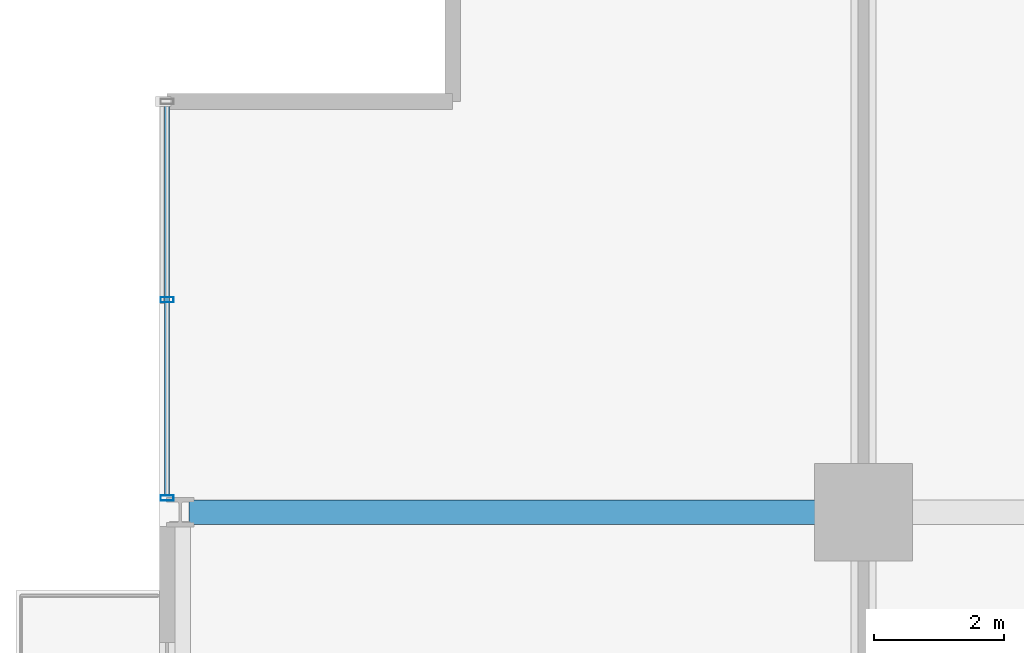
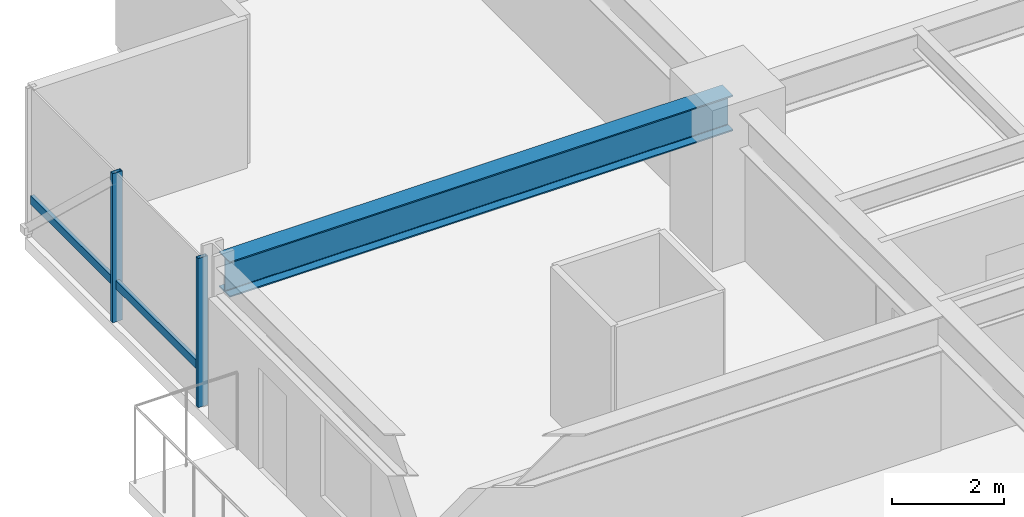
# One storey, part 18 of 33: 3 members, 1 beam, 1 element without a shape of its own.
"""IFC4 building model written with IfcOpenShell, lengths in metres."""

from ifc_helpers import new_model, si_unit, direction, frame, origin, origin_2d, place, context, subcontext, project, spatial, hollow_rectangle, i_section, extrude, material, layer, layer_set, material_profile, profile_set, type_object, element, aggregate, save


model = new_model("IFC4")

# Units and contexts
model_context = context("Model", 3, precision=1e-05, world=origin(), true_north=direction((0.0, 1.0)))
body_context = subcontext(model_context, "Body", "Model", "MODEL_VIEW")
ifc_project = project(units=[si_unit("LENGTHUNIT", "METRE"), si_unit("AREAUNIT", "SQUARE_METRE"), si_unit("VOLUMEUNIT", "CUBIC_METRE"), si_unit("PLANEANGLEUNIT", "RADIAN"), si_unit("MASSUNIT", "GRAM", prefix="KILO")], contexts=[model_context])

# Site, building, storey
site_placement = place(None, origin())
site = spatial("IfcSite", under=ifc_project, at=site_placement, CompositionType="ELEMENT")
building_placement = place(site_placement, origin())
building = spatial("IfcBuilding", under=site, at=building_placement, Name="Drelvath Grand Hotel", CompositionType="ELEMENT")
storey_placement = place(building_placement, frame((0.0, 0.0, 105.800048828125)))
storey = spatial("IfcBuildingStorey", under=building, at=storey_placement, Name="L26", CompositionType="ELEMENT", Elevation=105.800048828125)

# Curtain wall, members
ifc_material_1 = material(Name="Champagne Bronze Anodised Aluminium Frame", Category="aluminium")
ifc_layer = layer(ifc_material_1, 0.199951171875)
ifc_layer_set = layer_set([ifc_layer], Name="Champagne Bronze Anodised Aluminium Frame")
curtain_wall_type = type_object("IfcCurtainWallType", Name="Stick Curtain Wall CW-03 Champagne Bronze Mid-Rise", PredefinedType="NOTDEFINED", material=ifc_layer_set)
curtain_wall_placement = place(storey_placement, origin())
curtain_wall = element("IfcCurtainWall", 1, at=curtain_wall_placement, inside=storey, type_object=curtain_wall_type, Name="L26 CW-03 Curtain Wall CW03-L26-WN3", PredefinedType="NOTDEFINED")
ifc_material_profile_1 = material_profile(ifc_material_1, hollow_rectangle(XDim=0.074951171875, YDim=0.179931640625, WallThickness=0.0048828125, at=origin_2d()), Name="HSS180X75X5")
ifc_profile_set_1 = profile_set([ifc_material_profile_1], Name="Champagne Bronze Anodised Aluminium Frame")
member_type_1 = type_object("IfcMemberType", Name="Curtain Wall Horizontal Transom CW-03 HSS180X75X5", PredefinedType="USERDEFINED", material=ifc_profile_set_1)
member_1_placement = place(storey_placement, frame((-26.8798828125, 43.459716796875, 0.81005859375), z_axis=(0.0, 1.0, 0.0), x_axis=(-1.0, 0.0, 0.0)))
member_1 = element("IfcMember", 2, at=member_1_placement, type_object=member_type_1, Name="CW03-L26-WN3 Sill Transom", ObjectType="TRANSOM", PredefinedType="USERDEFINED", context=body_context, shape_type="SweptSolid", body=[
    extrude(hollow_rectangle(XDim=0.074951171875, YDim=0.179931640625, WallThickness=0.0048828125, at=origin_2d()), origin(), (0.0, 0.0, 1.0), 6.000244140625),
])
ifc_material_profile_2 = material_profile(ifc_material_1, hollow_rectangle(XDim=0.080078125, YDim=0.199951171875, WallThickness=0.0048828125, at=origin_2d()), Name="HSS200X80X5")
ifc_profile_set_2 = profile_set([ifc_material_profile_2], Name="Champagne Bronze Anodised Aluminium Frame")
member_type_2 = type_object("IfcMemberType", Name="Curtain Wall Vertical Mullion CW-03 HSS200X80X5", PredefinedType="MULLION", material=ifc_profile_set_2)
member_2_placement = place(storey_placement, frame((-26.8798828125, 43.419677734375, 0.0), z_axis=(0.0, 0.0, 1.0), x_axis=(0.0, 1.0, 0.0)))
member_2 = element("IfcMember", 3, at=member_2_placement, type_object=member_type_2, Name="CW03-L26-WN3 Mullion 1", PredefinedType="MULLION", context=body_context, shape_type="SweptSolid", body=[
    extrude(hollow_rectangle(XDim=0.080078125, YDim=0.199951171875, WallThickness=0.0048828125, at=origin_2d()), origin(), (0.0, 0.0, 1.0), 3.239990234375),
])
member_3_placement = place(storey_placement, frame((-26.8798828125, 46.459716796875, 0.0), z_axis=(0.0, 0.0, 1.0), x_axis=(0.0, 1.0, 0.0)))
member_3 = element("IfcMember", 4, at=member_3_placement, type_object=member_type_2, Name="CW03-L26-WN3 Mullion 2", PredefinedType="MULLION", context=body_context, shape_type="SweptSolid", body=[
    extrude(hollow_rectangle(XDim=0.080078125, YDim=0.199951171875, WallThickness=0.0048828125, at=origin_2d()), origin(), (0.0, 0.0, 1.0), 3.239990234375),
])
aggregate(curtain_wall, [member_2, member_3, member_1])

# Beam
ifc_material_2 = material(Name="Steel ASTM A992 Gr 50", Category="steel")
ifc_material_profile_3 = material_profile(ifc_material_2, i_section(OverallWidth=0.380615234375, OverallDepth=0.773193359375, WebThickness=0.0166015625, FlangeThickness=0.027099609375, FilletRadius=0.02490234375, at=origin_2d()), Name="W30X173")
ifc_profile_set_3 = profile_set([ifc_material_profile_3], Name="Steel ASTM A992 Gr 50")
beam_type = type_object("IfcBeamType", Name="Primary Floor Girder W30X173", PredefinedType="BEAM", material=ifc_profile_set_3)
beam_placement = place(storey_placement, frame((-26.5400390625, 43.199951171875, 2.853271484375), z_axis=(1.0, 0.0, 0.0), x_axis=(0.0, 1.0, 0.0)))
element("IfcBeam", 5, at=beam_placement, inside=storey, type_object=beam_type, Name="L26 West Grid Girder G", PredefinedType="BEAM", context=body_context, shape_type="SweptSolid", body=[
    extrude(i_section(OverallWidth=0.380615234375, OverallDepth=0.773193359375, WebThickness=0.0166015625, FlangeThickness=0.027099609375, FilletRadius=0.02490234375, at=origin_2d()), origin(), (0.0, 0.0, 1.0), 10.340087890625),
])

save(model, "model.ifc")
